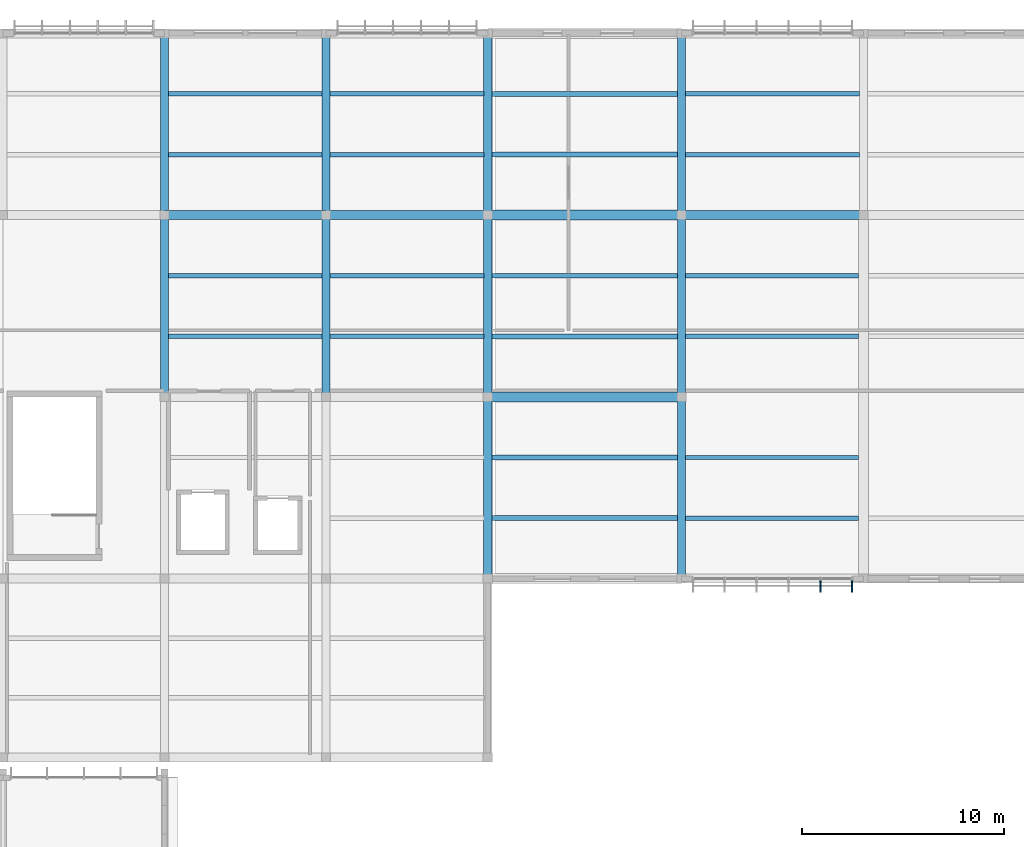
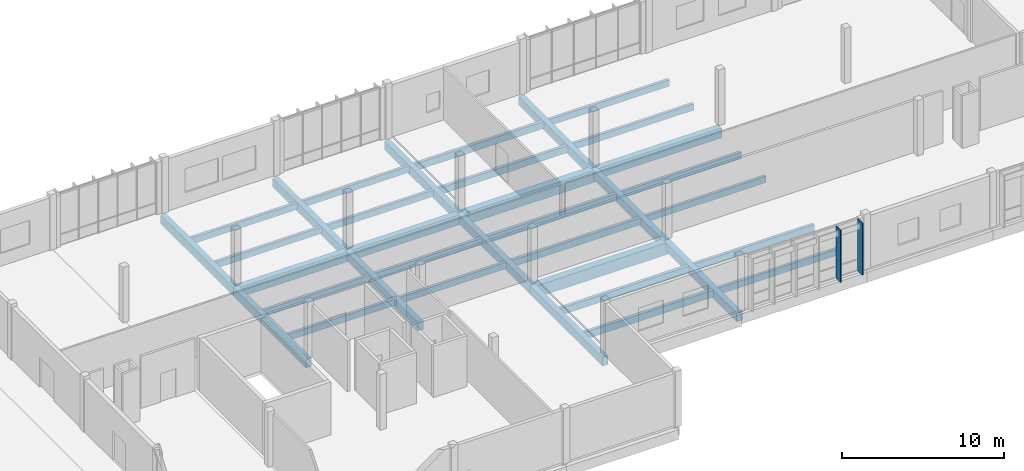
# One storey, part 44 of 94: 35 beams, 2 members, 1 element without a shape of its own.
"""IFC4 building model written with IfcOpenShell, lengths in metres."""

from ifc_helpers import new_model, si_unit, direction, frame, origin, origin_2d, place, context, subcontext, project, spatial, rectangle, extrude, material, material_profile, profile_set, type_object, element, aggregate, save


model = new_model("IFC4")

# Units and contexts
model_context = context("Model", 3, precision=1e-05, world=origin(), true_north=direction((0.0, 1.0)))
body_context = subcontext(model_context, "Body", "Model", "MODEL_VIEW")
ifc_project = project(units=[si_unit("LENGTHUNIT", "METRE"), si_unit("AREAUNIT", "SQUARE_METRE"), si_unit("VOLUMEUNIT", "CUBIC_METRE"), si_unit("PLANEANGLEUNIT", "RADIAN"), si_unit("MASSUNIT", "GRAM", prefix="KILO")], contexts=[model_context])

# Site, building, storey
site_placement = place(None, origin())
site = spatial("IfcSite", under=ifc_project, at=site_placement, CompositionType="ELEMENT")
building_placement = place(site_placement, origin())
building = spatial("IfcBuilding", under=site, at=building_placement, Name="Chiffa Square Polytechnic", CompositionType="ELEMENT")
storey_placement = place(building_placement, frame((0.0, 0.0, 18.0)))
storey = spatial("IfcBuildingStorey", under=building, at=storey_placement, Name="L04", CompositionType="ELEMENT", Elevation=18.0)

# Beams
ifc_material_1 = material(Name="Concrete C35/45", Category="concrete")
ifc_material_profile_1 = material_profile(ifc_material_1, rectangle(XDim=0.39990234375, YDim=0.64990234375, at=origin_2d()), Name="RC 400x650")
ifc_profile_set_1 = profile_set([ifc_material_profile_1], Name="Concrete C35/45")
beam_type_1 = type_object("IfcBeamType", Name="BM-RC-400X650", PredefinedType="BEAM", material=ifc_profile_set_1)
for number, where, z_axis, x_axis, name in (
    (1, (32.0, 112.800048828125, -0.56494140625), (0.0, 1.0, 0.0), (-1.0, 0.0, 0.0), "Primary floor girder BM-V5-L04-Y-0320-1128"),
    (2, (32.0, 121.800048828125, -0.56494140625), (0.0, 1.0, 0.0), (-1.0, 0.0, 0.0), "Primary floor girder BM-V5-L04-Y-0320-1218"),
    (3, (40.0, 112.800048828125, -0.56494140625), (0.0, 1.0, 0.0), (-1.0, 0.0, 0.0), "Primary floor girder BM-V5-L04-Y-0400-1128"),
    (4, (40.0, 121.800048828125, -0.56494140625), (0.0, 1.0, 0.0), (-1.0, 0.0, 0.0), "Primary floor girder BM-V5-L04-Y-0400-1218"),
    (5, (48.0, 103.800048828125, -0.56494140625), (0.0, 1.0, 0.0), (-1.0, 0.0, 0.0), "Primary floor girder BM-V5-L04-Y-0480-1038"),
    (6, (48.0, 112.800048828125, -0.56494140625), (0.0, 1.0, 0.0), (-1.0, 0.0, 0.0), "Primary floor girder BM-V5-L04-Y-0480-1128"),
    (7, (48.0, 121.800048828125, -0.56494140625), (0.0, 1.0, 0.0), (-1.0, 0.0, 0.0), "Primary floor girder BM-V5-L04-Y-0480-1218"),
    (8, (57.60009765625, 103.800048828125, -0.56494140625), (0.0, 1.0, 0.0), (-1.0, 0.0, 0.0), "Primary floor girder BM-V5-L04-Y-0576-1038"),
    (9, (57.60009765625, 112.800048828125, -0.56494140625), (0.0, 1.0, 0.0), (-1.0, 0.0, 0.0), "Primary floor girder BM-V5-L04-Y-0576-1128"),
    (10, (57.60009765625, 121.800048828125, -0.56494140625), (0.0, 1.0, 0.0), (-1.0, 0.0, 0.0), "Primary floor girder BM-V5-L04-Y-0576-1218"),
):
    element("IfcBeam", number, at=place(storey_placement, frame(where, z_axis=z_axis, x_axis=x_axis)), inside=storey, type_object=beam_type_1, Name=name, PredefinedType="BEAM", context=body_context, shape_type="SweptSolid", body=[
        extrude(rectangle(XDim=0.39990234375, YDim=0.64990234375, at=origin_2d()), origin(), (0.0, 0.0, 1.0), 9.0),
    ])
ifc_material_profile_2 = material_profile(ifc_material_1, rectangle(XDim=0.449951171875, YDim=0.75, at=origin_2d()), Name="RC 450x750")
ifc_profile_set_2 = profile_set([ifc_material_profile_2], Name="Concrete C35/45")
beam_type_2 = type_object("IfcBeamType", Name="BM-RC-450X750", PredefinedType="BEAM", material=ifc_profile_set_2)
for number, where, z_axis, x_axis, name in (
    (11, (32.0, 121.800048828125, -0.614990234375), (1.0, 0.0, 0.0), (0.0, 1.0, 0.0), "Primary floor girder BM-V5-L04-X-0320-1218"),
    (12, (40.0, 121.800048828125, -0.614990234375), (1.0, 0.0, 0.0), (0.0, 1.0, 0.0), "Primary floor girder BM-V5-L04-X-0400-1218"),
):
    element("IfcBeam", number, at=place(storey_placement, frame(where, z_axis=z_axis, x_axis=x_axis)), inside=storey, type_object=beam_type_2, Name=name, PredefinedType="BEAM", context=body_context, shape_type="SweptSolid", body=[
        extrude(rectangle(XDim=0.449951171875, YDim=0.75, at=origin_2d()), origin(), (0.0, 0.0, 1.0), 8.0),
    ])
beam_placement = place(storey_placement, frame((57.60009765625, 121.800048828125, -0.614990234375), z_axis=(1.0, 0.0, 0.0), x_axis=(0.0, 1.0, 0.0)))
element("IfcBeam", 13, at=beam_placement, inside=storey, type_object=beam_type_2, Name="Primary floor girder BM-V5-L04-X-0576-1218", PredefinedType="BEAM", context=body_context, shape_type="SweptSolid", body=[
    extrude(rectangle(XDim=0.449951171875, YDim=0.75, at=origin_2d()), origin(), (0.0, 0.0, 1.0), 9.0),
])
ifc_material_2 = material(Name="Concrete C40/50", Category="concrete")
ifc_material_profile_3 = material_profile(ifc_material_2, rectangle(XDim=0.5, YDim=0.89990234375, at=origin_2d()), Name="RC 500x900")
ifc_profile_set_3 = profile_set([ifc_material_profile_3], Name="Concrete C40/50")
beam_type_3 = type_object("IfcBeamType", Name="BM-RC-500X900", PredefinedType="BEAM", material=ifc_profile_set_3)
for number, where, z_axis, x_axis, name in (
    (14, (48.0, 112.800048828125, -0.68994140625), (1.0, 0.0, 0.0), (0.0, 1.0, 0.0), "Primary floor girder BM-V5-L04-X-0480-1128"),
    (15, (48.0, 121.800048828125, -0.68994140625), (1.0, 0.0, 0.0), (0.0, 1.0, 0.0), "Primary floor girder BM-V5-L04-X-0480-1218"),
):
    element("IfcBeam", number, at=place(storey_placement, frame(where, z_axis=z_axis, x_axis=x_axis)), inside=storey, type_object=beam_type_3, Name=name, PredefinedType="BEAM", context=body_context, shape_type="SweptSolid", body=[
        extrude(rectangle(XDim=0.5, YDim=0.89990234375, at=origin_2d()), origin(), (0.0, 0.0, 1.0), 9.60009765625),
    ])

# Curtain wall, members
ifc_material_3 = material(Name="Aluminium EN AW-6060 T66 and glulam shading", Category="wood")
curtain_wall_type = type_object("IfcCurtainWallType", Name="CW-VERT-600X440", PredefinedType="USERDEFINED", material=ifc_material_3)
curtain_wall_placement = place(storey_placement, origin())
curtain_wall = element("IfcCurtainWall", 16, at=curtain_wall_placement, inside=storey, type_object=curtain_wall_type, Name="Curtain wall CW-V5-L04-241", ObjectType="CURTAIN WALL", PredefinedType="USERDEFINED")
ifc_material_4 = material(Name="Glulam GL28h", Category="wood")
ifc_material_profile_4 = material_profile(ifc_material_4, rectangle(XDim=0.080078125, YDim=0.580078125, at=origin_2d()), Name="GL28h 80x580")
ifc_profile_set_4 = profile_set([ifc_material_profile_4], Name="Glulam GL28h")
member_type = type_object("IfcMemberType", Name="CWM-GL-80X580", PredefinedType="MULLION", material=ifc_profile_set_4)
member_1_placement = place(storey_placement, frame((64.47607421875, 103.427978515625, 0.010009765625), z_axis=(0.0, 0.0, 1.0), x_axis=(1.0, 0.0, 0.0)))
member_1 = element("IfcMember", 17, at=member_1_placement, type_object=member_type, Name="Exterior glulam solar fin CW-V5-L04-241-FN04", PredefinedType="MULLION", context=body_context, shape_type="SweptSolid", body=[
    extrude(rectangle(XDim=0.080078125, YDim=0.580078125, at=origin_2d()), origin(), (0.0, 0.0, 1.0), 3.919921875),
])
member_2_placement = place(storey_placement, frame((66.034912109375, 103.427978515625, 0.010009765625), z_axis=(0.0, 0.0, 1.0), x_axis=(1.0, 0.0, 0.0)))
member_2 = element("IfcMember", 18, at=member_2_placement, type_object=member_type, Name="Exterior glulam solar fin CW-V5-L04-241-FN05", PredefinedType="MULLION", context=body_context, shape_type="SweptSolid", body=[
    extrude(rectangle(XDim=0.080078125, YDim=0.580078125, at=origin_2d()), origin(), (0.0, 0.0, 1.0), 3.919921875),
])
aggregate(curtain_wall, [member_1, member_2])

# Beams
ifc_material_profile_5 = material_profile(ifc_material_4, rectangle(XDim=0.219970703125, YDim=0.47998046875, at=origin_2d()), Name="GL28h 220x480")
ifc_profile_set_5 = profile_set([ifc_material_profile_5], Name="Glulam GL28h")
beam_type_4 = type_object("IfcBeamType", Name="JST-GL-220X480", PredefinedType="JOIST", material=ifc_profile_set_5)
for number, where, z_axis, x_axis, name in (
    (19, (32.197998046875, 115.800048828125, -0.47998046875), (1.0, 0.0, 0.0), (0.0, 1.0, 0.0), "Secondary floor joist JST-V5-L04-0320-1158"),
    (20, (32.197998046875, 118.800048828125, -0.47998046875), (1.0, 0.0, 0.0), (0.0, 1.0, 0.0), "Secondary floor joist JST-V5-L04-0320-1188"),
    (21, (32.197998046875, 124.800048828125, -0.47998046875), (1.0, 0.0, 0.0), (0.0, 1.0, 0.0), "Secondary floor joist JST-V5-L04-0320-1248"),
    (22, (32.197998046875, 127.800048828125, -0.47998046875), (1.0, 0.0, 0.0), (0.0, 1.0, 0.0), "Secondary floor joist JST-V5-L04-0320-1278"),
    (23, (40.197998046875, 115.800048828125, -0.47998046875), (1.0, 0.0, 0.0), (0.0, 1.0, 0.0), "Secondary floor joist JST-V5-L04-0400-1158"),
    (24, (40.197998046875, 118.800048828125, -0.47998046875), (1.0, 0.0, 0.0), (0.0, 1.0, 0.0), "Secondary floor joist JST-V5-L04-0400-1188"),
    (25, (40.197998046875, 124.800048828125, -0.47998046875), (1.0, 0.0, 0.0), (0.0, 1.0, 0.0), "Secondary floor joist JST-V5-L04-0400-1248"),
    (26, (40.197998046875, 127.800048828125, -0.47998046875), (1.0, 0.0, 0.0), (0.0, 1.0, 0.0), "Secondary floor joist JST-V5-L04-0400-1278"),
):
    element("IfcBeam", number, at=place(storey_placement, frame(where, z_axis=z_axis, x_axis=x_axis)), inside=storey, type_object=beam_type_4, Name=name, PredefinedType="JOIST", context=body_context, shape_type="SweptSolid", body=[
        extrude(rectangle(XDim=0.219970703125, YDim=0.47998046875, at=origin_2d()), origin(), (0.0, 0.0, 1.0), 7.60400390625),
    ])
for number, where, z_axis, x_axis, name in (
    (27, (57.798095703125, 106.800048828125, -0.47998046875), (1.0, 0.0, 0.0), (0.0, 1.0, 0.0), "Secondary floor joist JST-V5-L04-0576-1068"),
    (28, (57.798095703125, 109.800048828125, -0.47998046875), (1.0, 0.0, 0.0), (0.0, 1.0, 0.0), "Secondary floor joist JST-V5-L04-0576-1098"),
    (29, (57.798095703125, 115.800048828125, -0.47998046875), (1.0, 0.0, 0.0), (0.0, 1.0, 0.0), "Secondary floor joist JST-V5-L04-0576-1158"),
    (30, (57.798095703125, 118.800048828125, -0.47998046875), (1.0, 0.0, 0.0), (0.0, 1.0, 0.0), "Secondary floor joist JST-V5-L04-0576-1188"),
):
    element("IfcBeam", number, at=place(storey_placement, frame(where, z_axis=z_axis, x_axis=x_axis)), inside=storey, type_object=beam_type_4, Name=name, PredefinedType="JOIST", context=body_context, shape_type="SweptSolid", body=[
        extrude(rectangle(XDim=0.219970703125, YDim=0.47998046875, at=origin_2d()), origin(), (0.0, 0.0, 1.0), 8.553955078125),
    ])
for number, where, z_axis, x_axis, name in (
    (31, (57.798095703125, 124.800048828125, -0.47998046875), (1.0, 0.0, 0.0), (0.0, 1.0, 0.0), "Secondary floor joist JST-V5-L04-0576-1248"),
    (32, (57.798095703125, 127.800048828125, -0.47998046875), (1.0, 0.0, 0.0), (0.0, 1.0, 0.0), "Secondary floor joist JST-V5-L04-0576-1278"),
):
    element("IfcBeam", number, at=place(storey_placement, frame(where, z_axis=z_axis, x_axis=x_axis)), inside=storey, type_object=beam_type_4, Name=name, PredefinedType="JOIST", context=body_context, shape_type="SweptSolid", body=[
        extrude(rectangle(XDim=0.219970703125, YDim=0.47998046875, at=origin_2d()), origin(), (0.0, 0.0, 1.0), 8.60400390625),
    ])
ifc_material_profile_6 = material_profile(ifc_material_4, rectangle(XDim=0.239990234375, YDim=0.52001953125, at=origin_2d()), Name="GL28h 240x520")
ifc_profile_set_6 = profile_set([ifc_material_profile_6], Name="Glulam GL28h")
beam_type_5 = type_object("IfcBeamType", Name="JST-GL-240X520", PredefinedType="JOIST", material=ifc_profile_set_6)
for number, where, z_axis, x_axis, name in (
    (33, (48.197998046875, 106.800048828125, -0.5), (1.0, 0.0, 0.0), (0.0, 1.0, 0.0), "Secondary floor joist JST-V5-L04-0480-1068"),
    (34, (48.197998046875, 109.800048828125, -0.5), (1.0, 0.0, 0.0), (0.0, 1.0, 0.0), "Secondary floor joist JST-V5-L04-0480-1098"),
    (35, (48.197998046875, 115.800048828125, -0.5), (1.0, 0.0, 0.0), (0.0, 1.0, 0.0), "Secondary floor joist JST-V5-L04-0480-1158"),
    (36, (48.197998046875, 118.800048828125, -0.5), (1.0, 0.0, 0.0), (0.0, 1.0, 0.0), "Secondary floor joist JST-V5-L04-0480-1188"),
    (37, (48.197998046875, 124.800048828125, -0.5), (1.0, 0.0, 0.0), (0.0, 1.0, 0.0), "Secondary floor joist JST-V5-L04-0480-1248"),
    (38, (48.197998046875, 127.800048828125, -0.5), (1.0, 0.0, 0.0), (0.0, 1.0, 0.0), "Secondary floor joist JST-V5-L04-0480-1278"),
):
    element("IfcBeam", number, at=place(storey_placement, frame(where, z_axis=z_axis, x_axis=x_axis)), inside=storey, type_object=beam_type_5, Name=name, PredefinedType="JOIST", context=body_context, shape_type="SweptSolid", body=[
        extrude(rectangle(XDim=0.239990234375, YDim=0.52001953125, at=origin_2d()), origin(), (0.0, 0.0, 1.0), 9.2041015625),
    ])

save(model, "model.ifc")
